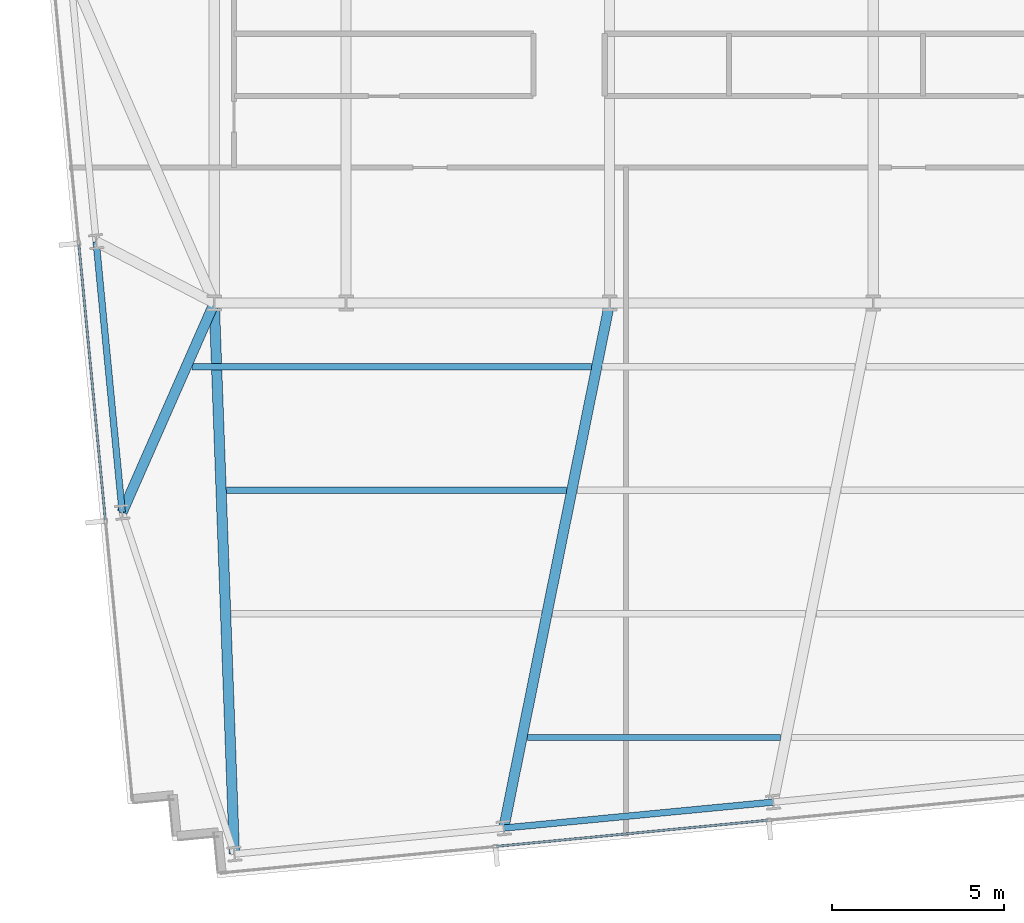
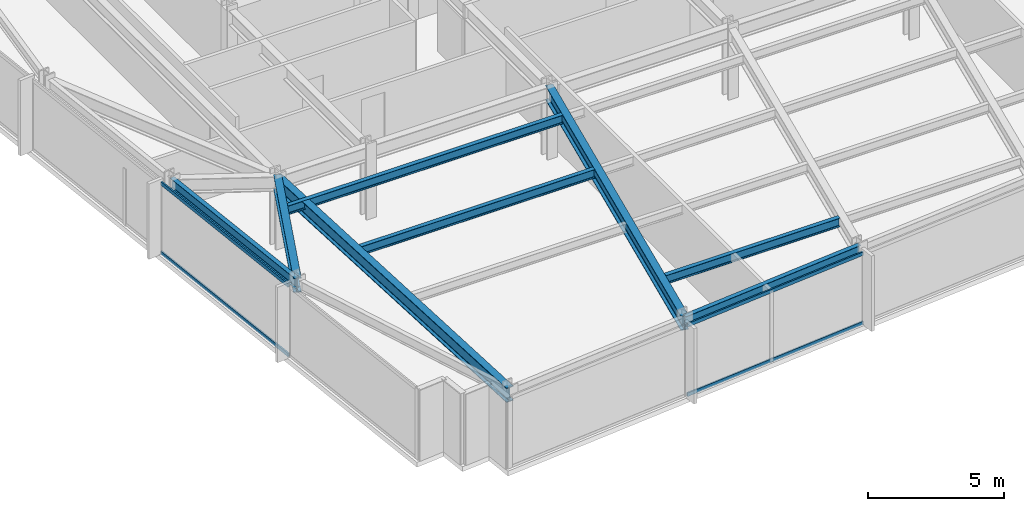
# One storey, part 3 of 32: 8 beams, 4 members, 2 elements without a shape of their own.
"""IFC4 building model written with IfcOpenShell, lengths in metres."""

import ifcopenshell
import ifcopenshell.guid

model = None  # the IFC model being written
_history = None  # IfcOwnerHistory: only IFC2X3 demands one
_inside = {}  # id of a spatial element -> (the spatial element, [elements in it])
_under = {}  # id of a project, library or spatial element -> (it, [spatial elements below it])
_declared = {}  # id of a project -> (the project, [libraries it declares])
_typed = {}  # id of a type object -> (the type object, [elements of that type])
_made_of = {}  # id of a material, layer set ... -> (it, [elements and type objects made of it])


def new_model(schema):
    """Start an empty IFC model of exactly this schema.

    Asked for "IFC4X3", IfcOpenShell would pick the latest addendum, in which some entities
    have other attributes; the version numbers below select the first issue.
    IFC2X3 requires an IfcOwnerHistory on every rooted entity: one is made here for all.
    """
    global model, _history
    if schema == "IFC4X3":
        model = ifcopenshell.file(schema_version=(4, 3, 0, 0))
    else:
        model = ifcopenshell.file(schema=schema)
    _inside.clear()
    _under.clear()
    _declared.clear()
    _typed.clear()
    _made_of.clear()
    _history = None
    if model.schema == "IFC2X3":
        org = make("IfcOrganization", Name="unknown")
        user = make(
            "IfcPersonAndOrganization",
            ThePerson=make("IfcPerson", FamilyName="unknown"),
            TheOrganization=org,
        )
        app = make(
            "IfcApplication",
            ApplicationDeveloper=org,
            Version="unknown",
            ApplicationFullName="unknown",
            ApplicationIdentifier="unknown",
        )
        _history = make(
            "IfcOwnerHistory",
            OwningUser=user,
            OwningApplication=app,
            ChangeAction="ADDED",
            CreationDate=0,
        )
    return model


def make(cls, **values):
    """One entity of the class cls with the attributes given. An attribute that is None is left unset."""
    return model.create_entity(
        cls, **{name: value for name, value in values.items() if value is not None}
    )


def rooted(cls, **values):
    """An entity with a GlobalId (a new one), such as an element, a storey or a relation."""
    return make(cls, GlobalId=ifcopenshell.guid.new(), OwnerHistory=_history, **values)


def si_unit(unit_type, name, prefix=None):
    """IfcSIUnit, for example si_unit("LENGTHUNIT", "METRE", prefix="MILLI")."""
    return make("IfcSIUnit", UnitType=unit_type, Prefix=prefix, Name=name)


def assignment(units):
    """IfcUnitAssignment: the units of a project."""
    return None if units is None else make("IfcUnitAssignment", Units=units)


def point(xyz):
    """IfcCartesianPoint."""
    return None if xyz is None else make("IfcCartesianPoint", Coordinates=xyz)


def direction(xyz):
    """IfcDirection."""
    return None if xyz is None else make("IfcDirection", DirectionRatios=xyz)


def frame(location, z_axis=None, x_axis=None):
    """IfcAxis2Placement3D, a coordinate frame: its origin and axes. An axis left out is left unset."""
    return make(
        "IfcAxis2Placement3D",
        Location=point(location),
        Axis=direction(z_axis),
        RefDirection=direction(x_axis),
    )


def frame_2d(location, x_axis=None):
    """IfcAxis2Placement2D, a coordinate frame in the plane: its origin and x axis."""
    return make(
        "IfcAxis2Placement2D", Location=point(location), RefDirection=direction(x_axis)
    )


def origin():
    """The frame at (0, 0, 0) with its axes left unset."""
    return frame((0.0, 0.0, 0.0))


def origin_2d():
    """The frame at (0, 0) in the plane with its x axis left unset."""
    return frame_2d((0.0, 0.0))


def place(relative_to, where):
    """IfcLocalPlacement: puts the frame where relative to a parent placement (None: the world)."""
    return make(
        "IfcLocalPlacement", PlacementRelTo=relative_to, RelativePlacement=where
    )


def context(
    kind, dimensions, precision=None, world=None, true_north=None, identifier=None
):
    """IfcGeometricRepresentationContext, for example the 3D "Model" context."""
    return make(
        "IfcGeometricRepresentationContext",
        ContextIdentifier=identifier,
        ContextType=kind,
        CoordinateSpaceDimension=dimensions,
        Precision=precision,
        WorldCoordinateSystem=world,
        TrueNorth=true_north,
    )


def subcontext(parent, identifier, kind, view, scale=None):
    """IfcGeometricRepresentationSubContext, for example "Body" below "Model"."""
    return make(
        "IfcGeometricRepresentationSubContext",
        ContextIdentifier=identifier,
        ContextType=kind,
        ParentContext=parent,
        TargetScale=scale,
        TargetView=view,
    )


def project(units=None, contexts=None):
    """IfcProject with its units and contexts."""
    return rooted(
        "IfcProject",
        Name="project",
        RepresentationContexts=contexts,
        UnitsInContext=assignment(units),
    )


def spatial(cls, under=None, at=None, **own):
    """A site, building, storey or space (cls), placed at a placement, below another one or the project."""
    s = rooted(cls, ObjectPlacement=at, **own)
    if under is not None:
        _under.setdefault(under.id(), (under, []))[1].append(s)
    return s


def profile(cls, at=None, kind="AREA", **sizes):
    """A parametric profile (cls). Its sizes go by their IFC names, for example OverallWidth=200.0."""
    return make(cls, ProfileType=kind, Position=at, **sizes)


def hollow_rectangle(**sizes):
    """IfcRectangleHollowProfileDef."""
    return profile("IfcRectangleHollowProfileDef", **sizes)


def i_section(**sizes):
    """IfcIShapeProfileDef."""
    return profile("IfcIShapeProfileDef", **sizes)


def extrude(swept, where, along, depth):
    """IfcExtrudedAreaSolid: the profile swept, set in the frame where, extruded along a direction by depth."""
    return make(
        "IfcExtrudedAreaSolid",
        SweptArea=swept,
        Position=where,
        ExtrudedDirection=direction(along),
        Depth=depth,
    )


def shape(context_of_items, identifier, shape_type, items):
    """IfcShapeRepresentation: the items that make up one representation, for example the "Body"."""
    return make(
        "IfcShapeRepresentation",
        ContextOfItems=context_of_items,
        RepresentationIdentifier=identifier,
        RepresentationType=shape_type,
        Items=items,
    )


def material(Name=None, Category=None):
    """IfcMaterial."""
    return make("IfcMaterial", Name=Name, Category=Category)


def material_profile(
    of_material, cross_section, Name=None, Category=None, Priority=None
):
    """IfcMaterialProfile: a cross section and its material."""
    return make(
        "IfcMaterialProfile",
        Name=Name,
        Material=of_material,
        Profile=cross_section,
        Priority=Priority,
        Category=Category,
    )


def profile_set(profiles, Name=None, composite=None):
    """IfcMaterialProfileSet."""
    return make(
        "IfcMaterialProfileSet",
        Name=Name,
        MaterialProfiles=profiles,
        CompositeProfile=composite,
    )


def made_of(thing, what):
    """Note that an element or type object is made of a material, layer set ...; save() writes the relation."""
    if what is not None:
        _made_of.setdefault(what.id(), (what, []))[1].append(thing)
    return thing


def type_object(cls, material=None, **own):
    """A type object (cls), such as IfcWallType, which elements share."""
    return made_of(rooted(cls, **own), material)


def element(
    cls,
    number,
    at=None,
    inside=None,
    cuts=None,
    type_object=None,
    material=None,
    context=None,
    identifier="Body",
    shape_type=None,
    held_by="IfcProductDefinitionShape",
    body=None,
    shapes=None,
    **own,
):
    """One element of the class cls, such as IfcWall. Its Tag is "e" and its number.

    at: its placement. inside: the storey or other place that contains it. cuts: it is an
    opening in that element (IfcRelVoidsElement). A single representation is given by context,
    identifier, shape_type and body (its items); several are given by shapes. held_by: the class
    of the entity that holds the representations. save() writes the other relations.
    """
    e = rooted(cls, Tag="e%d" % number, ObjectPlacement=at, **own)
    if body is not None:
        shapes = [shape(context, identifier, shape_type, body)]
    if shapes is not None:
        e.Representation = make(held_by, Representations=shapes)
    if inside is not None:
        _inside.setdefault(inside.id(), (inside, []))[1].append(e)
    if cuts is not None:
        rooted(
            "IfcRelVoidsElement", RelatingBuildingElement=cuts, RelatedOpeningElement=e
        )
    if type_object is not None:
        _typed.setdefault(type_object.id(), (type_object, []))[1].append(e)
    return made_of(e, material)


def aggregate(whole, parts):
    """IfcRelAggregates: a whole, such as a stair, and the parts it consists of."""
    return rooted("IfcRelAggregates", RelatingObject=whole, RelatedObjects=parts)


def save(model, path):
    """Write the relations noted so far, then the file.

    IfcRelAggregates (storeys below a building ...), IfcRelContainedInSpatialStructure (elements
    in a storey), IfcRelDefinesByType, IfcRelAssociatesMaterial and IfcRelDeclares: one each for
    every whole, place, type object, material and project.
    """
    for whole, parts in _under.values():
        aggregate(whole, parts)
    for where, things in _inside.values():
        rooted(
            "IfcRelContainedInSpatialStructure",
            RelatedElements=things,
            RelatingStructure=where,
        )
    for kind, things in _typed.values():
        rooted("IfcRelDefinesByType", RelatedObjects=things, RelatingType=kind)
    for what, things in _made_of.values():
        rooted("IfcRelAssociatesMaterial", RelatedObjects=things, RelatingMaterial=what)
    for by, libraries in _declared.values():
        rooted("IfcRelDeclares", RelatingContext=by, RelatedDefinitions=libraries)
    model.write(path)


model = new_model("IFC4")

# Units and contexts
model_context = context("Model", 3, precision=1e-05, world=origin(), true_north=direction((0.0, 1.0)))
body_context = subcontext(model_context, "Body", "Model", "MODEL_VIEW")
ifc_project = project(units=[si_unit("LENGTHUNIT", "METRE"), si_unit("AREAUNIT", "SQUARE_METRE"), si_unit("VOLUMEUNIT", "CUBIC_METRE"), si_unit("PLANEANGLEUNIT", "RADIAN"), si_unit("MASSUNIT", "GRAM", prefix="KILO")], contexts=[model_context])

# Site, building, storey
site_placement = place(None, origin())
site = spatial("IfcSite", under=ifc_project, at=site_placement, CompositionType="ELEMENT")
building_placement = place(site_placement, origin())
building = spatial("IfcBuilding", under=site, at=building_placement, Name="Yelkora Congress Tower", CompositionType="ELEMENT")
storey_placement = place(building_placement, frame((0.0, 0.0, 116.89990234375)))
storey = spatial("IfcBuildingStorey", under=building, at=storey_placement, Name="L31", CompositionType="ELEMENT", Elevation=116.89990234375)

# Beams
ifc_material_1 = material(Name="Steel S355J2", Category="steel")
ifc_material_profile_1 = material_profile(ifc_material_1, i_section(OverallWidth=0.300048828125, OverallDepth=0.64990234375, WebThickness=0.01611328125, FlangeThickness=0.031005859375, FilletRadius=0.027099609375, at=origin_2d()), Name="HEB 650")
ifc_profile_set_1 = profile_set([ifc_material_profile_1], Name="Steel S355J2")
beam_type_1 = type_object("IfcBeamType", Name="BM-GIRD-HEB650", PredefinedType="BEAM", material=ifc_profile_set_1)
beam_1_placement = place(storey_placement, frame((19.785888671875, 9.144287109375, 2.85498046875), z_axis=(-0.03646985294, 0.999334753637, 0.0), x_axis=(-0.999334753637, -0.03646985294, 0.0)))
element("IfcBeam", 1, at=beam_1_placement, inside=storey, type_object=beam_type_1, Name="L31 Primary Frame Girder S01", PredefinedType="BEAM", context=body_context, shape_type="SweptSolid", body=[
    extrude(i_section(OverallWidth=0.300048828125, OverallDepth=0.64990234375, WebThickness=0.01611328125, FlangeThickness=0.031005859375, FilletRadius=0.027099609375, at=origin_2d()), origin(), (0.0, 0.0, 1.0), 16.06640625),
])
beam_2_placement = place(storey_placement, frame((27.635498046875, 9.900146484375, 2.85498046875), z_axis=(0.197625995154, 0.980277494406, 0.0), x_axis=(-0.980277494406, 0.197625995154, 0.0)))
element("IfcBeam", 2, at=beam_2_placement, inside=storey, type_object=beam_type_1, Name="L31 Primary Frame Girder S02", PredefinedType="BEAM", context=body_context, shape_type="SweptSolid", body=[
    extrude(i_section(OverallWidth=0.300048828125, OverallDepth=0.64990234375, WebThickness=0.01611328125, FlangeThickness=0.031005859375, FilletRadius=0.027099609375, at=origin_2d()), origin(), (0.0, 0.0, 1.0), 15.607666015625),
])
beam_3_placement = place(storey_placement, frame((16.5166015625, 19.101806640625, 2.85498046875), z_axis=(0.402759490709, 0.915305846504, 0.0), x_axis=(-0.915305846504, 0.402759490709, 0.0)))
element("IfcBeam", 3, at=beam_3_placement, inside=storey, type_object=beam_type_1, Name="L31 Primary Frame Girder W01", PredefinedType="BEAM", context=body_context, shape_type="SweptSolid", body=[
    extrude(i_section(OverallWidth=0.300048828125, OverallDepth=0.64990234375, WebThickness=0.01611328125, FlangeThickness=0.031005859375, FilletRadius=0.027099609375, at=origin_2d()), origin(), (0.0, 0.0, 1.0), 6.662353515625),
])
ifc_material_profile_2 = material_profile(ifc_material_1, i_section(OverallWidth=0.179931640625, OverallDepth=0.39990234375, WebThickness=0.008544921875, FlangeThickness=0.013427734375, FilletRadius=0.02099609375, at=origin_2d()), Name="IPE 400")
ifc_profile_set_2 = profile_set([ifc_material_profile_2], Name="Steel S355J2")
beam_type_2 = type_object("IfcBeamType", Name="BM-JOIST-IPE400", PredefinedType="JOIST", material=ifc_profile_set_2)
beam_4_placement = place(storey_placement, frame((28.32861328125, 12.54443359375, 2.97998046875), z_axis=(1.0, 0.0, 0.0), x_axis=(0.0, 1.0, 0.0)))
element("IfcBeam", 4, at=beam_4_placement, inside=storey, type_object=beam_type_2, Name="L31 Composite Floor Joist 1", PredefinedType="JOIST", context=body_context, shape_type="SweptSolid", body=[
    extrude(i_section(OverallWidth=0.179931640625, OverallDepth=0.39990234375, WebThickness=0.008544921875, FlangeThickness=0.013427734375, FilletRadius=0.02099609375, at=origin_2d()), origin(), (0.0, 0.0, 1.0), 7.374755859375),
])
beam_5_placement = place(storey_placement, frame((19.55908203125, 19.744384765625, 2.97998046875), z_axis=(1.0, 0.0, 0.0), x_axis=(0.0, 1.0, 0.0)))
element("IfcBeam", 5, at=beam_5_placement, inside=storey, type_object=beam_type_2, Name="L31 Composite Floor Joist 11", PredefinedType="JOIST", context=body_context, shape_type="SweptSolid", body=[
    extrude(i_section(OverallWidth=0.179931640625, OverallDepth=0.39990234375, WebThickness=0.008544921875, FlangeThickness=0.013427734375, FilletRadius=0.02099609375, at=origin_2d()), origin(), (0.0, 0.0, 1.0), 9.901123046875),
])
beam_6_placement = place(storey_placement, frame((18.54345703125, 23.344482421875, 2.97998046875), z_axis=(1.0, 0.0, 0.0), x_axis=(0.0, 1.0, 0.0)))
element("IfcBeam", 6, at=beam_6_placement, inside=storey, type_object=beam_type_2, Name="L31 Composite Floor Joist 18", PredefinedType="JOIST", context=body_context, shape_type="SweptSolid", body=[
    extrude(i_section(OverallWidth=0.179931640625, OverallDepth=0.39990234375, WebThickness=0.008544921875, FlangeThickness=0.013427734375, FilletRadius=0.02099609375, at=origin_2d()), origin(), (0.0, 0.0, 1.0), 11.642333984375),
])
ifc_material_profile_3 = material_profile(ifc_material_1, i_section(OverallWidth=0.18994140625, OverallDepth=0.449951171875, WebThickness=0.009521484375, FlangeThickness=0.0146484375, FilletRadius=0.02099609375, at=origin_2d()), Name="IPE 450")
ifc_profile_set_3 = profile_set([ifc_material_profile_3], Name="Steel S355J2")
beam_type_3 = type_object("IfcBeamType", Name="BM-SPAN-IPE450", PredefinedType="SPANDREL", material=ifc_profile_set_3)
beam_7_placement = place(storey_placement, frame((15.757080078125, 26.990478515625, 2.955078125), z_axis=(0.09583684824, -0.995397055712, 0.0), x_axis=(0.995397055712, 0.09583684824, 0.0)))
element("IfcBeam", 7, at=beam_7_placement, inside=storey, type_object=beam_type_3, Name="L31 Perimeter Beam 1", PredefinedType="SPANDREL", context=body_context, shape_type="SweptSolid", body=[
    extrude(i_section(OverallWidth=0.18994140625, OverallDepth=0.449951171875, WebThickness=0.009521484375, FlangeThickness=0.0146484375, FilletRadius=0.02099609375, at=origin_2d()), origin(), (0.0, 0.0, 1.0), 7.925048828125),
])
beam_8_placement = place(storey_placement, frame((27.635498046875, 9.900146484375, 2.955078125), z_axis=(0.995395575667, 0.095852219286, 0.0), x_axis=(-0.095852219286, 0.995395575667, 0.0)))
element("IfcBeam", 8, at=beam_8_placement, inside=storey, type_object=beam_type_3, Name="L31 Perimeter Beam 4", PredefinedType="SPANDREL", context=body_context, shape_type="SweptSolid", body=[
    extrude(i_section(OverallWidth=0.18994140625, OverallDepth=0.449951171875, WebThickness=0.009521484375, FlangeThickness=0.0146484375, FilletRadius=0.02099609375, at=origin_2d()), origin(), (0.0, 0.0, 1.0), 7.8857421875),
])

# Curtain wall, members
ifc_material_2 = material(Name="Anodised aluminium and insulated glass", Category="aluminium")
curtain_wall_type = type_object("IfcCurtainWallType", Name="CW-SYS-B2", PredefinedType="NOTDEFINED", material=ifc_material_2)
curtain_wall_1_placement = place(storey_placement, origin())
curtain_wall_1 = element("IfcCurtainWall", 9, at=curtain_wall_1_placement, inside=storey, type_object=curtain_wall_type, Name="L31 Unitised Curtain Wall 5", PredefinedType="NOTDEFINED")
ifc_material_3 = material(Name="Anodised aluminium 6063-T6", Category="aluminium")
ifc_material_profile_4 = material_profile(ifc_material_3, hollow_rectangle(XDim=0.06494140625, YDim=0.159912109375, WallThickness=0.00390625, at=origin_2d()), Name="ALU 65x160x4")
ifc_profile_set_4 = profile_set([ifc_material_profile_4], Name="Anodised aluminium 6063-T6")
member_type = type_object("IfcMemberType", Name="MEM-TR-B2", PredefinedType="USERDEFINED", material=ifc_profile_set_4)
member_1_placement = place(storey_placement, frame((16.025146484375, 18.8837890625, 0.03271484375), z_axis=(-0.095838228465, 0.995396922823, 0.0), x_axis=(-0.995396922823, -0.095838228465, 0.0)))
member_1 = element("IfcMember", 10, at=member_1_placement, type_object=member_type, Name="CW-B2 transom 2.1", ObjectType="TRANSOM", PredefinedType="USERDEFINED", context=body_context, shape_type="SweptSolid", body=[
    extrude(hollow_rectangle(XDim=0.06494140625, YDim=0.159912109375, WallThickness=0.00390625, at=origin_2d()), origin(), (0.0, 0.0, 1.0), 8.06005859375),
])
member_2_placement = place(storey_placement, frame((16.025146484375, 18.8837890625, 3.147705078125), z_axis=(-0.095838228465, 0.995396922823, 0.0), x_axis=(-0.995396922823, -0.095838228465, 0.0)))
member_2 = element("IfcMember", 11, at=member_2_placement, type_object=member_type, Name="CW-B2 transom 2.2", ObjectType="TRANSOM", PredefinedType="USERDEFINED", context=body_context, shape_type="SweptSolid", body=[
    extrude(hollow_rectangle(XDim=0.06494140625, YDim=0.159912109375, WallThickness=0.00390625, at=origin_2d()), origin(), (0.0, 0.0, 1.0), 8.06005859375),
])
aggregate(curtain_wall_1, [member_1, member_2])

curtain_wall_2_placement = place(storey_placement, origin())
curtain_wall_2 = element("IfcCurtainWall", 12, at=curtain_wall_2_placement, inside=storey, type_object=curtain_wall_type, Name="L31 Unitised Curtain Wall 20", PredefinedType="NOTDEFINED")
member_3_placement = place(storey_placement, frame((35.323974609375, 10.128173828125, 0.03271484375), z_axis=(-0.995397293396, -0.095834379534, 0.0), x_axis=(0.095834379534, -0.995397293396, 0.0)))
member_3 = element("IfcMember", 13, at=member_3_placement, type_object=member_type, Name="CW-B2 transom 6.1", ObjectType="TRANSOM", PredefinedType="USERDEFINED", context=body_context, shape_type="SweptSolid", body=[
    extrude(hollow_rectangle(XDim=0.06494140625, YDim=0.159912109375, WallThickness=0.00390625, at=origin_2d()), origin(), (0.0, 0.0, 1.0), 7.93310546875),
])
member_4_placement = place(storey_placement, frame((35.323974609375, 10.128173828125, 3.147705078125), z_axis=(-0.995397293396, -0.095834379534, 0.0), x_axis=(0.095834379534, -0.995397293396, 0.0)))
member_4 = element("IfcMember", 14, at=member_4_placement, type_object=member_type, Name="CW-B2 transom 6.2", ObjectType="TRANSOM", PredefinedType="USERDEFINED", context=body_context, shape_type="SweptSolid", body=[
    extrude(hollow_rectangle(XDim=0.06494140625, YDim=0.159912109375, WallThickness=0.00390625, at=origin_2d()), origin(), (0.0, 0.0, 1.0), 7.93310546875),
])
aggregate(curtain_wall_2, [member_3, member_4])

save(model, "model.ifc")
